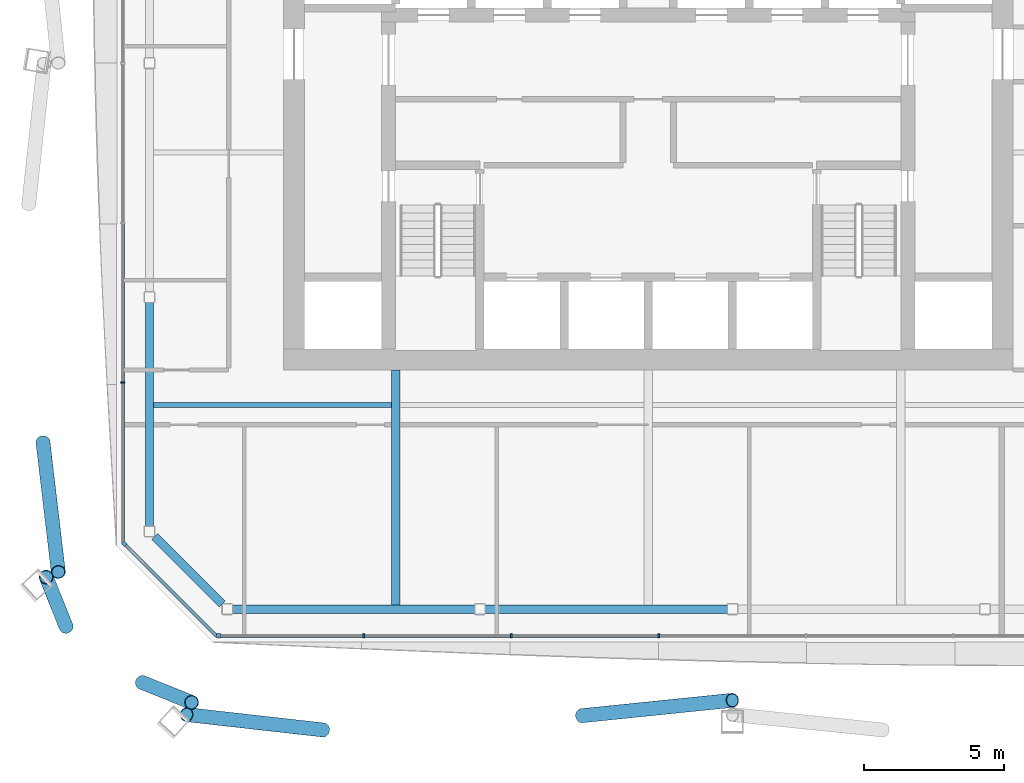
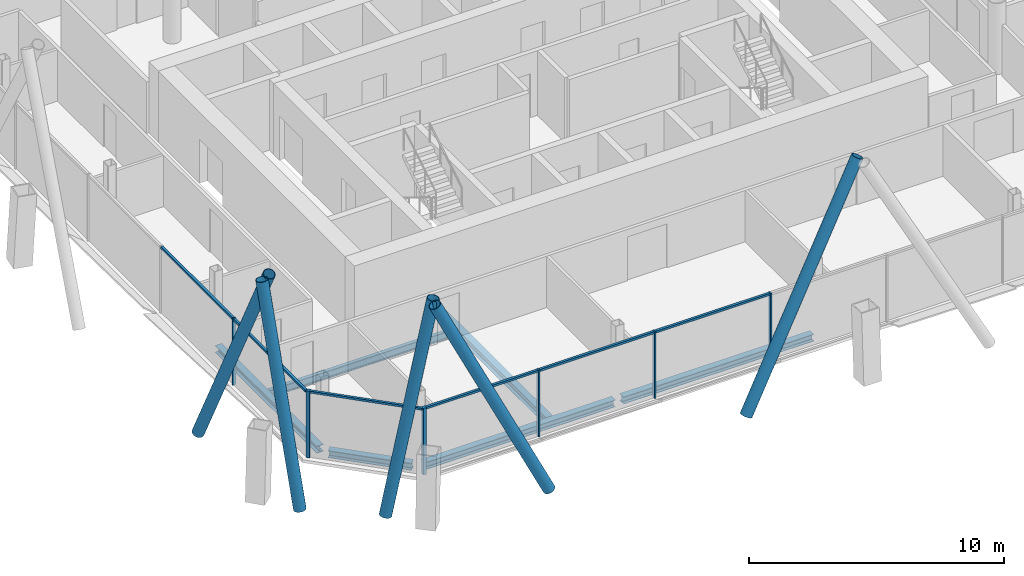
# One storey, part 4 of 20: 17 members, 6 beams, 3 elements without a shape of their own.
"""IFC4 building model written with IfcOpenShell, lengths in metres."""

import ifcopenshell
import ifcopenshell.guid

model = None  # the IFC model being written
_history = None  # IfcOwnerHistory: only IFC2X3 demands one
_inside = {}  # id of a spatial element -> (the spatial element, [elements in it])
_under = {}  # id of a project, library or spatial element -> (it, [spatial elements below it])
_declared = {}  # id of a project -> (the project, [libraries it declares])
_typed = {}  # id of a type object -> (the type object, [elements of that type])
_made_of = {}  # id of a material, layer set ... -> (it, [elements and type objects made of it])


def new_model(schema):
    """Start an empty IFC model of exactly this schema.

    Asked for "IFC4X3", IfcOpenShell would pick the latest addendum, in which some entities
    have other attributes; the version numbers below select the first issue.
    IFC2X3 requires an IfcOwnerHistory on every rooted entity: one is made here for all.
    """
    global model, _history
    if schema == "IFC4X3":
        model = ifcopenshell.file(schema_version=(4, 3, 0, 0))
    else:
        model = ifcopenshell.file(schema=schema)
    _inside.clear()
    _under.clear()
    _declared.clear()
    _typed.clear()
    _made_of.clear()
    _history = None
    if model.schema == "IFC2X3":
        org = make("IfcOrganization", Name="unknown")
        user = make(
            "IfcPersonAndOrganization",
            ThePerson=make("IfcPerson", FamilyName="unknown"),
            TheOrganization=org,
        )
        app = make(
            "IfcApplication",
            ApplicationDeveloper=org,
            Version="unknown",
            ApplicationFullName="unknown",
            ApplicationIdentifier="unknown",
        )
        _history = make(
            "IfcOwnerHistory",
            OwningUser=user,
            OwningApplication=app,
            ChangeAction="ADDED",
            CreationDate=0,
        )
    return model


def make(cls, **values):
    """One entity of the class cls with the attributes given. An attribute that is None is left unset."""
    return model.create_entity(
        cls, **{name: value for name, value in values.items() if value is not None}
    )


def rooted(cls, **values):
    """An entity with a GlobalId (a new one), such as an element, a storey or a relation."""
    return make(cls, GlobalId=ifcopenshell.guid.new(), OwnerHistory=_history, **values)


def si_unit(unit_type, name, prefix=None):
    """IfcSIUnit, for example si_unit("LENGTHUNIT", "METRE", prefix="MILLI")."""
    return make("IfcSIUnit", UnitType=unit_type, Prefix=prefix, Name=name)


def assignment(units):
    """IfcUnitAssignment: the units of a project."""
    return None if units is None else make("IfcUnitAssignment", Units=units)


def point(xyz):
    """IfcCartesianPoint."""
    return None if xyz is None else make("IfcCartesianPoint", Coordinates=xyz)


def direction(xyz):
    """IfcDirection."""
    return None if xyz is None else make("IfcDirection", DirectionRatios=xyz)


def frame(location, z_axis=None, x_axis=None):
    """IfcAxis2Placement3D, a coordinate frame: its origin and axes. An axis left out is left unset."""
    return make(
        "IfcAxis2Placement3D",
        Location=point(location),
        Axis=direction(z_axis),
        RefDirection=direction(x_axis),
    )


def frame_2d(location, x_axis=None):
    """IfcAxis2Placement2D, a coordinate frame in the plane: its origin and x axis."""
    return make(
        "IfcAxis2Placement2D", Location=point(location), RefDirection=direction(x_axis)
    )


def origin():
    """The frame at (0, 0, 0) with its axes left unset."""
    return frame((0.0, 0.0, 0.0))


def origin_2d():
    """The frame at (0, 0) in the plane with its x axis left unset."""
    return frame_2d((0.0, 0.0))


def place(relative_to, where):
    """IfcLocalPlacement: puts the frame where relative to a parent placement (None: the world)."""
    return make(
        "IfcLocalPlacement", PlacementRelTo=relative_to, RelativePlacement=where
    )


def context(
    kind, dimensions, precision=None, world=None, true_north=None, identifier=None
):
    """IfcGeometricRepresentationContext, for example the 3D "Model" context."""
    return make(
        "IfcGeometricRepresentationContext",
        ContextIdentifier=identifier,
        ContextType=kind,
        CoordinateSpaceDimension=dimensions,
        Precision=precision,
        WorldCoordinateSystem=world,
        TrueNorth=true_north,
    )


def subcontext(parent, identifier, kind, view, scale=None):
    """IfcGeometricRepresentationSubContext, for example "Body" below "Model"."""
    return make(
        "IfcGeometricRepresentationSubContext",
        ContextIdentifier=identifier,
        ContextType=kind,
        ParentContext=parent,
        TargetScale=scale,
        TargetView=view,
    )


def project(units=None, contexts=None):
    """IfcProject with its units and contexts."""
    return rooted(
        "IfcProject",
        Name="project",
        RepresentationContexts=contexts,
        UnitsInContext=assignment(units),
    )


def spatial(cls, under=None, at=None, **own):
    """A site, building, storey or space (cls), placed at a placement, below another one or the project."""
    s = rooted(cls, ObjectPlacement=at, **own)
    if under is not None:
        _under.setdefault(under.id(), (under, []))[1].append(s)
    return s


def profile(cls, at=None, kind="AREA", **sizes):
    """A parametric profile (cls). Its sizes go by their IFC names, for example OverallWidth=200.0."""
    return make(cls, ProfileType=kind, Position=at, **sizes)


def rectangle(**sizes):
    """IfcRectangleProfileDef."""
    return profile("IfcRectangleProfileDef", **sizes)


def hollow_circle(**sizes):
    """IfcCircleHollowProfileDef."""
    return profile("IfcCircleHollowProfileDef", **sizes)


def i_section(**sizes):
    """IfcIShapeProfileDef."""
    return profile("IfcIShapeProfileDef", **sizes)


def extrude(swept, where, along, depth):
    """IfcExtrudedAreaSolid: the profile swept, set in the frame where, extruded along a direction by depth."""
    return make(
        "IfcExtrudedAreaSolid",
        SweptArea=swept,
        Position=where,
        ExtrudedDirection=direction(along),
        Depth=depth,
    )


def shape(context_of_items, identifier, shape_type, items):
    """IfcShapeRepresentation: the items that make up one representation, for example the "Body"."""
    return make(
        "IfcShapeRepresentation",
        ContextOfItems=context_of_items,
        RepresentationIdentifier=identifier,
        RepresentationType=shape_type,
        Items=items,
    )


def material(Name=None, Category=None):
    """IfcMaterial."""
    return make("IfcMaterial", Name=Name, Category=Category)


def material_profile(
    of_material, cross_section, Name=None, Category=None, Priority=None
):
    """IfcMaterialProfile: a cross section and its material."""
    return make(
        "IfcMaterialProfile",
        Name=Name,
        Material=of_material,
        Profile=cross_section,
        Priority=Priority,
        Category=Category,
    )


def profile_set(profiles, Name=None, composite=None):
    """IfcMaterialProfileSet."""
    return make(
        "IfcMaterialProfileSet",
        Name=Name,
        MaterialProfiles=profiles,
        CompositeProfile=composite,
    )


def made_of(thing, what):
    """Note that an element or type object is made of a material, layer set ...; save() writes the relation."""
    if what is not None:
        _made_of.setdefault(what.id(), (what, []))[1].append(thing)
    return thing


def type_object(cls, material=None, **own):
    """A type object (cls), such as IfcWallType, which elements share."""
    return made_of(rooted(cls, **own), material)


def element(
    cls,
    number,
    at=None,
    inside=None,
    cuts=None,
    type_object=None,
    material=None,
    context=None,
    identifier="Body",
    shape_type=None,
    held_by="IfcProductDefinitionShape",
    body=None,
    shapes=None,
    **own,
):
    """One element of the class cls, such as IfcWall. Its Tag is "e" and its number.

    at: its placement. inside: the storey or other place that contains it. cuts: it is an
    opening in that element (IfcRelVoidsElement). A single representation is given by context,
    identifier, shape_type and body (its items); several are given by shapes. held_by: the class
    of the entity that holds the representations. save() writes the other relations.
    """
    e = rooted(cls, Tag="e%d" % number, ObjectPlacement=at, **own)
    if body is not None:
        shapes = [shape(context, identifier, shape_type, body)]
    if shapes is not None:
        e.Representation = make(held_by, Representations=shapes)
    if inside is not None:
        _inside.setdefault(inside.id(), (inside, []))[1].append(e)
    if cuts is not None:
        rooted(
            "IfcRelVoidsElement", RelatingBuildingElement=cuts, RelatedOpeningElement=e
        )
    if type_object is not None:
        _typed.setdefault(type_object.id(), (type_object, []))[1].append(e)
    return made_of(e, material)


def aggregate(whole, parts):
    """IfcRelAggregates: a whole, such as a stair, and the parts it consists of."""
    return rooted("IfcRelAggregates", RelatingObject=whole, RelatedObjects=parts)


def save(model, path):
    """Write the relations noted so far, then the file.

    IfcRelAggregates (storeys below a building ...), IfcRelContainedInSpatialStructure (elements
    in a storey), IfcRelDefinesByType, IfcRelAssociatesMaterial and IfcRelDeclares: one each for
    every whole, place, type object, material and project.
    """
    for whole, parts in _under.values():
        aggregate(whole, parts)
    for where, things in _inside.values():
        rooted(
            "IfcRelContainedInSpatialStructure",
            RelatedElements=things,
            RelatingStructure=where,
        )
    for kind, things in _typed.values():
        rooted("IfcRelDefinesByType", RelatedObjects=things, RelatingType=kind)
    for what, things in _made_of.values():
        rooted("IfcRelAssociatesMaterial", RelatedObjects=things, RelatingMaterial=what)
    for by, libraries in _declared.values():
        rooted("IfcRelDeclares", RelatingContext=by, RelatedDefinitions=libraries)
    model.write(path)


model = new_model("IFC4")

# Units and contexts
model_context = context("Model", 3, precision=1e-05, world=origin(), true_north=direction((0.0, 1.0)))
body_context = subcontext(model_context, "Body", "Model", "MODEL_VIEW")
ifc_project = project(units=[si_unit("LENGTHUNIT", "METRE"), si_unit("AREAUNIT", "SQUARE_METRE"), si_unit("VOLUMEUNIT", "CUBIC_METRE"), si_unit("PLANEANGLEUNIT", "RADIAN"), si_unit("MASSUNIT", "GRAM", prefix="KILO")], contexts=[model_context])

# Site, building, storey
site_placement = place(None, origin())
site = spatial("IfcSite", under=ifc_project, at=site_placement, CompositionType="ELEMENT")
building_placement = place(site_placement, origin())
building = spatial("IfcBuilding", under=site, at=building_placement, Name="Tskaro Facet Tower", CompositionType="ELEMENT")
storey_placement = place(building_placement, frame((0.0, 0.0, 152.10009765625)))
storey = spatial("IfcBuildingStorey", under=building, at=storey_placement, Name="L37", CompositionType="ELEMENT", Elevation=152.10009765625)

# Members
ifc_material_1 = material(Name="Steel S355J2H", Category="steel")
ifc_material_profile_1 = material_profile(ifc_material_1, hollow_circle(Radius=0.25390625, WallThickness=0.02490234375, at=origin_2d()), Name="CHS 508x25")
ifc_profile_set_1 = profile_set([ifc_material_profile_1], Name="Steel S355J2H")
member_type_1 = type_object("IfcMemberType", Name="CHS 508x25 brace", PredefinedType="BRACE", material=ifc_profile_set_1)
member_1_placement = place(storey_placement, frame((-2.36279296875, -24.56982421875, 0.0), z_axis=(0.464840687457, 0.047487139336, 0.884119961816), x_axis=(-0.10162894515, 0.994822374853, 0.0)))
element("IfcMember", 1, at=member_1_placement, inside=storey, type_object=member_type_1, Name="CHS 508x25 XB01A/3", PredefinedType="BRACE", context=body_context, shape_type="SweptSolid", body=[
    extrude(hollow_circle(Radius=0.25390625, WallThickness=0.02490234375, at=origin_2d()), origin(), (0.0, 0.0, 1.0), 11.536865234375),
])
member_2_placement = place(storey_placement, frame((-11.58740234375, -25.07763671875, 0.0), z_axis=(-0.429820765287, 0.048405280742, 0.901615793187), x_axis=(-0.111909939557, -0.993718353171, 0.0)))
element("IfcMember", 2, at=member_2_placement, inside=storey, type_object=member_type_1, Name="CHS 508x25 XB01B/3", PredefinedType="BRACE", context=body_context, shape_type="SweptSolid", body=[
    extrude(hollow_circle(Radius=0.25390625, WallThickness=0.02490234375, at=origin_2d()), origin(), (0.0, 0.0, 1.0), 11.31298828125),
])
member_3_placement = place(storey_placement, frame((-21.56982421875, -14.82666015625, 0.0), z_axis=(0.048861989092, -0.412343800107, 0.909717042017), x_axis=(0.993052175923, 0.117674873674, 0.0)))
element("IfcMember", 3, at=member_3_placement, inside=storey, type_object=member_type_1, Name="CHS 508x25 XB11A/3", PredefinedType="BRACE", context=body_context, shape_type="SweptSolid", body=[
    extrude(hollow_circle(Radius=0.25390625, WallThickness=0.02490234375, at=origin_2d()), origin(), (0.0, 0.0, 1.0), 11.212158203125),
])
for number, where, z_axis, x_axis, name in (
    (4, (-18.024658203125, -23.39013671875, 0.0), (0.169094939278, -0.068085130039, 0.983245298274), (0.373504384444, 0.927628414184, 0.0), "CHS 508x25 XB12A/3"),
    (5, (-20.749267578125, -21.3837890625, 0.0), (-0.068085130039, 0.169094939278, 0.983245298274), (-0.927628414184, -0.373504384444, 0.0), "CHS 508x25 XB12B/3"),
):
    element("IfcMember", number, at=place(storey_placement, frame(where, z_axis=z_axis, x_axis=x_axis)), inside=storey, type_object=member_type_1, Name=name, PredefinedType="BRACE", context=body_context, shape_type="SweptSolid", body=[
        extrude(hollow_circle(Radius=0.25390625, WallThickness=0.02490234375, at=origin_2d()), origin(), (0.0, 0.0, 1.0), 10.373779296875),
    ])

# Curtain wall, member
ifc_material_2 = material(Name="Bronze anodised aluminium 6063-T6", Category="aluminium")
curtain_wall_type = type_object("IfcCurtainWallType", Name="Bronze hotel curtain wall (FW2)", PredefinedType="NOTDEFINED", material=ifc_material_2)
curtain_wall_1_placement = place(storey_placement, origin())
curtain_wall_1 = element("IfcCurtainWall", 6, at=curtain_wall_1_placement, inside=storey, type_object=curtain_wall_type, Name="FW2 south facet L37", PredefinedType="NOTDEFINED")
ifc_material_profile_2 = material_profile(ifc_material_2, rectangle(XDim=0.14990234375, YDim=0.14990234375, at=origin_2d()), Name="Corner post 150x150")
ifc_profile_set_2 = profile_set([ifc_material_profile_2], Name="Bronze anodised aluminium 6063-T6")
member_type_2 = type_object("IfcMemberType", Name="FW2 bronze corner post 150x150", PredefinedType="MULLION", material=ifc_profile_set_2)
member_4_placement = place(storey_placement, frame((-15.31689453125, -21.72412109375, 0.0), z_axis=(0.0, 0.0, 1.0), x_axis=(1.0, 0.0, 0.0)))
member_4 = element("IfcMember", 7, at=member_4_placement, type_object=member_type_2, Name="FW2 south corner post", PredefinedType="MULLION", context=body_context, shape_type="SweptSolid", body=[
    extrude(rectangle(XDim=0.14990234375, YDim=0.14990234375, at=origin_2d()), origin(), (0.0, 0.0, 1.0), 3.199951171875),
])

curtain_wall_2_placement = place(storey_placement, origin())
curtain_wall_2 = element("IfcCurtainWall", 8, at=curtain_wall_2_placement, inside=storey, type_object=curtain_wall_type, Name="FW2 south-west facet L37", PredefinedType="NOTDEFINED")
member_5_placement = place(storey_placement, frame((-18.6708984375, -18.445068359375, 0.0), z_axis=(0.0, 0.0, 1.0), x_axis=(0.707106781187, -0.707106781187, 0.0)))
member_5 = element("IfcMember", 9, at=member_5_placement, type_object=member_type_2, Name="FW2 south-west corner post", PredefinedType="MULLION", context=body_context, shape_type="SweptSolid", body=[
    extrude(rectangle(XDim=0.14990234375, YDim=0.14990234375, at=origin_2d()), origin(), (0.0, 0.0, 1.0), 3.199951171875),
])

# Member
ifc_material_profile_3 = material_profile(ifc_material_2, rectangle(XDim=0.06005859375, YDim=0.14990234375, at=origin_2d()), Name="Mullion 60x150")
ifc_profile_set_3 = profile_set([ifc_material_profile_3], Name="Bronze anodised aluminium 6063-T6")
member_type_3 = type_object("IfcMemberType", Name="FW2 bronze mullion 60x150", PredefinedType="MULLION", material=ifc_profile_set_3)
member_6_placement = place(storey_placement, frame((-10.13720703125, -21.72412109375, 0.0), z_axis=(0.0, 0.0, 1.0), x_axis=(1.0, 0.0, 0.0)))
member_6 = element("IfcMember", 10, at=member_6_placement, type_object=member_type_3, Name="FW2 south mullion 1", PredefinedType="MULLION", context=body_context, shape_type="SweptSolid", body=[
    extrude(rectangle(XDim=0.06005859375, YDim=0.14990234375, at=origin_2d()), origin(), (0.0, 0.0, 1.0), 3.199951171875),
])

member_7_placement = place(storey_placement, frame((-4.88232421875, -21.72412109375, 0.0), z_axis=(0.0, 0.0, 1.0), x_axis=(1.0, 0.0, 0.0)))
member_7 = element("IfcMember", 11, at=member_7_placement, type_object=member_type_3, Name="FW2 south mullion 2", PredefinedType="MULLION", context=body_context, shape_type="SweptSolid", body=[
    extrude(rectangle(XDim=0.06005859375, YDim=0.14990234375, at=origin_2d()), origin(), (0.0, 0.0, 1.0), 3.199951171875),
])

member_8_placement = place(storey_placement, frame((0.37255859375, -21.72412109375, 0.0), z_axis=(0.0, 0.0, 1.0), x_axis=(1.0, 0.0, 0.0)))
member_8 = element("IfcMember", 12, at=member_8_placement, type_object=member_type_3, Name="FW2 south mullion 3", PredefinedType="MULLION", context=body_context, shape_type="SweptSolid", body=[
    extrude(rectangle(XDim=0.06005859375, YDim=0.14990234375, at=origin_2d()), origin(), (0.0, 0.0, 1.0), 3.199951171875),
])

# Curtain wall, member
curtain_wall_3_placement = place(storey_placement, origin())
curtain_wall_3 = element("IfcCurtainWall", 13, at=curtain_wall_3_placement, inside=storey, type_object=curtain_wall_type, Name="FW2 west facet L37", PredefinedType="NOTDEFINED")
member_9_placement = place(storey_placement, frame((-18.72412109375, -12.699951171875, 0.0), z_axis=(0.0, 0.0, 1.0), x_axis=(0.0, -1.0, 0.0)))
member_9 = element("IfcMember", 14, at=member_9_placement, type_object=member_type_3, Name="FW2 west mullion 5", PredefinedType="MULLION", context=body_context, shape_type="SweptSolid", body=[
    extrude(rectangle(XDim=0.06005859375, YDim=0.14990234375, at=origin_2d()), origin(), (0.0, 0.0, 1.0), 3.199951171875),
])

# Member
ifc_material_profile_4 = material_profile(ifc_material_2, rectangle(XDim=0.110107421875, YDim=0.10009765625, at=origin_2d()), Name="Transom 110x100")
ifc_profile_set_4 = profile_set([ifc_material_profile_4], Name="Bronze anodised aluminium 6063-T6")
member_type_4 = type_object("IfcMemberType", Name="FW2 bronze transom 110x100", PredefinedType="USERDEFINED", material=ifc_profile_set_4)
member_10_placement = place(storey_placement, frame((-15.241943359375, -21.72412109375, 3.14990234375), z_axis=(1.0, 0.0, 0.0), x_axis=(0.0, 1.0, 0.0)))
member_10 = element("IfcMember", 15, at=member_10_placement, type_object=member_type_4, Name="FW2 south transom 1.1", ObjectType="TRANSOM", PredefinedType="USERDEFINED", context=body_context, shape_type="SweptSolid", body=[
    extrude(rectangle(XDim=0.110107421875, YDim=0.10009765625, at=origin_2d()), origin(), (0.0, 0.0, 1.0), 5.07470703125),
])

member_11_placement = place(storey_placement, frame((-10.107177734375, -21.72412109375, 3.14990234375), z_axis=(1.0, 0.0, 0.0), x_axis=(0.0, 1.0, 0.0)))
member_11 = element("IfcMember", 16, at=member_11_placement, type_object=member_type_4, Name="FW2 south transom 2.1", ObjectType="TRANSOM", PredefinedType="USERDEFINED", context=body_context, shape_type="SweptSolid", body=[
    extrude(rectangle(XDim=0.110107421875, YDim=0.10009765625, at=origin_2d()), origin(), (0.0, 0.0, 1.0), 5.19482421875),
])

member_12_placement = place(storey_placement, frame((-4.852294921875, -21.72412109375, 3.14990234375), z_axis=(1.0, 0.0, 0.0), x_axis=(0.0, 1.0, 0.0)))
member_12 = element("IfcMember", 17, at=member_12_placement, type_object=member_type_4, Name="FW2 south transom 3.1", ObjectType="TRANSOM", PredefinedType="USERDEFINED", context=body_context, shape_type="SweptSolid", body=[
    extrude(rectangle(XDim=0.110107421875, YDim=0.10009765625, at=origin_2d()), origin(), (0.0, 0.0, 1.0), 5.19482421875),
])

aggregate(curtain_wall_1, [member_4, member_6, member_7, member_8, member_10, member_11, member_12])

member_13_placement = place(storey_placement, frame((-18.72412109375, -7.03759765625, 3.14990234375), z_axis=(0.0, -1.0, 0.0), x_axis=(1.0, 0.0, 0.0)))
member_13 = element("IfcMember", 18, at=member_13_placement, type_object=member_type_4, Name="FW2 west transom 5.1", ObjectType="TRANSOM", PredefinedType="USERDEFINED", context=body_context, shape_type="SweptSolid", body=[
    extrude(rectangle(XDim=0.110107421875, YDim=0.10009765625, at=origin_2d()), origin(), (0.0, 0.0, 1.0), 5.63232421875),
])

member_14_placement = place(storey_placement, frame((-18.72412109375, -12.729736328125, 3.14990234375), z_axis=(0.0, -1.0, 0.0), x_axis=(1.0, 0.0, 0.0)))
member_14 = element("IfcMember", 19, at=member_14_placement, type_object=member_type_4, Name="FW2 west transom 6.1", ObjectType="TRANSOM", PredefinedType="USERDEFINED", context=body_context, shape_type="SweptSolid", body=[
    extrude(rectangle(XDim=0.110107421875, YDim=0.10009765625, at=origin_2d()), origin(), (0.0, 0.0, 1.0), 5.662353515625),
])

aggregate(curtain_wall_3, [member_9, member_13, member_14])

member_15_placement = place(storey_placement, frame((-18.617919921875, -18.498046875, 3.14990234375), z_axis=(0.707080023698, -0.707133537663, 0.0), x_axis=(0.707133537663, 0.707080023698, 0.0)))
member_15 = element("IfcMember", 20, at=member_15_placement, type_object=member_type_4, Name="FW2 south-west transom 1.1", ObjectType="TRANSOM", PredefinedType="USERDEFINED", context=body_context, shape_type="SweptSolid", body=[
    extrude(rectangle(XDim=0.110107421875, YDim=0.10009765625, at=origin_2d()), origin(), (0.0, 0.0, 1.0), 4.562255859375),
])

aggregate(curtain_wall_2, [member_5, member_15])

# Beams
ifc_material_3 = material(Name="Steel S355J2", Category="steel")
ifc_material_profile_5 = material_profile(ifc_material_3, i_section(OverallWidth=0.300048828125, OverallDepth=0.340087890625, WebThickness=0.011962890625, FlangeThickness=0.021484375, FilletRadius=0.027099609375, at=origin_2d()), Name="HE 340 B")
ifc_profile_set_5 = profile_set([ifc_material_profile_5], Name="Steel S355J2")
beam_type_1 = type_object("IfcBeamType", Name="HE 340 B ring beam", PredefinedType="BEAM", material=ifc_profile_set_5)
beam_1_placement = place(storey_placement, frame((-14.819091796875, -20.77392578125, -0.31005859375), z_axis=(1.0, 0.0, 0.0), x_axis=(0.0, 1.0, 0.0)))
element("IfcBeam", 21, at=beam_1_placement, inside=storey, type_object=beam_type_1, Name="HE 340 B EB1-3", PredefinedType="BEAM", context=body_context, shape_type="SweptSolid", body=[
    extrude(i_section(OverallWidth=0.300048828125, OverallDepth=0.340087890625, WebThickness=0.011962890625, FlangeThickness=0.021484375, FilletRadius=0.027099609375, at=origin_2d()), origin(), (0.0, 0.0, 1.0), 8.63916015625),
])
beam_2_placement = place(storey_placement, frame((-5.820068359375, -20.77392578125, -0.31005859375), z_axis=(1.0, 0.0, 0.0), x_axis=(0.0, 1.0, 0.0)))
element("IfcBeam", 22, at=beam_2_placement, inside=storey, type_object=beam_type_1, Name="HE 340 B EB2-3", PredefinedType="BEAM", context=body_context, shape_type="SweptSolid", body=[
    extrude(i_section(OverallWidth=0.300048828125, OverallDepth=0.340087890625, WebThickness=0.011962890625, FlangeThickness=0.021484375, FilletRadius=0.027099609375, at=origin_2d()), origin(), (0.0, 0.0, 1.0), 8.64013671875),
])
beam_3_placement = place(storey_placement, frame((-17.77392578125, -9.8369140625, -0.31005859375), z_axis=(0.0, -1.0, 0.0), x_axis=(1.0, 0.0, 0.0)))
element("IfcBeam", 23, at=beam_3_placement, inside=storey, type_object=beam_type_1, Name="HE 340 B EB19-3", PredefinedType="BEAM", context=body_context, shape_type="SweptSolid", body=[
    extrude(i_section(OverallWidth=0.300048828125, OverallDepth=0.340087890625, WebThickness=0.011962890625, FlangeThickness=0.021484375, FilletRadius=0.027099609375, at=origin_2d()), origin(), (0.0, 0.0, 1.0), 7.982177734375),
])
beam_4_placement = place(storey_placement, frame((-17.588134765625, -18.184814453125, -0.31005859375), z_axis=(0.707106781187, -0.707106781187, 0.0), x_axis=(0.707106781187, 0.707106781187, 0.0)))
element("IfcBeam", 24, at=beam_4_placement, inside=storey, type_object=beam_type_1, Name="HE 340 B EB20-3", PredefinedType="BEAM", context=body_context, shape_type="SweptSolid", body=[
    extrude(i_section(OverallWidth=0.300048828125, OverallDepth=0.340087890625, WebThickness=0.011962890625, FlangeThickness=0.021484375, FilletRadius=0.027099609375, at=origin_2d()), origin(), (0.0, 0.0, 1.0), 3.39892578125),
])
ifc_material_profile_6 = material_profile(ifc_material_3, i_section(OverallWidth=0.300048828125, OverallDepth=0.389892578125, WebThickness=0.010986328125, FlangeThickness=0.01904296875, FilletRadius=0.027099609375, at=origin_2d()), Name="HE 400 A")
ifc_profile_set_6 = profile_set([ifc_material_profile_6], Name="Steel S355J2")
beam_type_2 = type_object("IfcBeamType", Name="HE 400 A girder", PredefinedType="BEAM", material=ifc_profile_set_6)
beam_5_placement = place(storey_placement, frame((-9.0, -20.6240234375, -0.335205078125), z_axis=(0.0, 1.0, 0.0), x_axis=(-1.0, 0.0, 0.0)))
element("IfcBeam", 25, at=beam_5_placement, inside=storey, type_object=beam_type_2, Name="HE 400 A GB3-1-3", PredefinedType="BEAM", context=body_context, shape_type="SweptSolid", body=[
    extrude(i_section(OverallWidth=0.300048828125, OverallDepth=0.389892578125, WebThickness=0.010986328125, FlangeThickness=0.01904296875, FilletRadius=0.027099609375, at=origin_2d()), origin(), (0.0, 0.0, 1.0), 8.3740234375),
])
ifc_material_profile_7 = material_profile(ifc_material_3, i_section(OverallWidth=0.169921875, OverallDepth=0.360107421875, WebThickness=0.008056640625, FlangeThickness=0.0126953125, FilletRadius=0.01806640625, at=origin_2d()), Name="IPE 360")
ifc_profile_set_7 = profile_set([ifc_material_profile_7], Name="Steel S355J2")
beam_type_3 = type_object("IfcBeamType", Name="IPE 360 secondary beam", PredefinedType="BEAM", material=ifc_profile_set_7)
beam_6_placement = place(storey_placement, frame((-17.6240234375, -13.5, -0.320068359375), z_axis=(1.0, 0.0, 0.0), x_axis=(0.0, 1.0, 0.0)))
element("IfcBeam", 26, at=beam_6_placement, inside=storey, type_object=beam_type_3, Name="IPE 360 SB2a-1-3", PredefinedType="BEAM", context=body_context, shape_type="SweptSolid", body=[
    extrude(i_section(OverallWidth=0.169921875, OverallDepth=0.360107421875, WebThickness=0.008056640625, FlangeThickness=0.0126953125, FilletRadius=0.01806640625, at=origin_2d()), origin(), (0.0, 0.0, 1.0), 8.47412109375),
])

save(model, "model.ifc")
